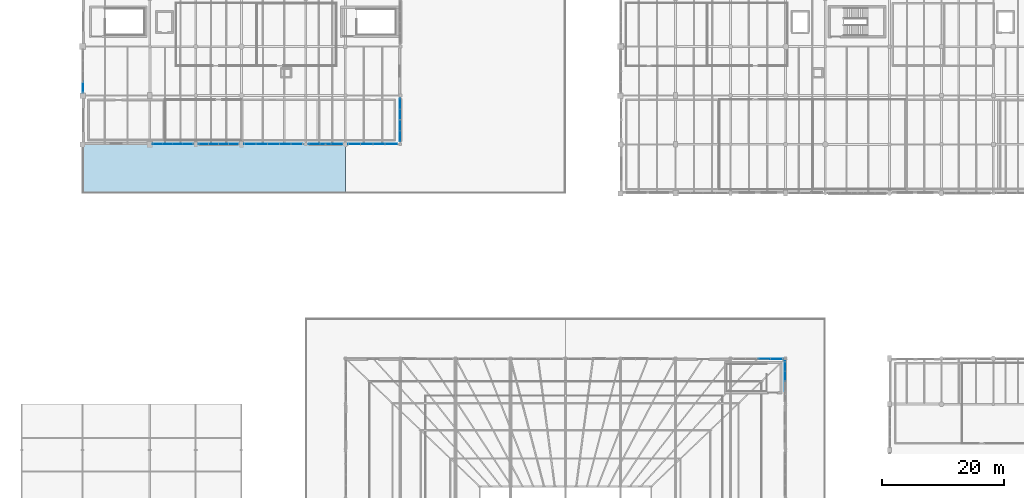
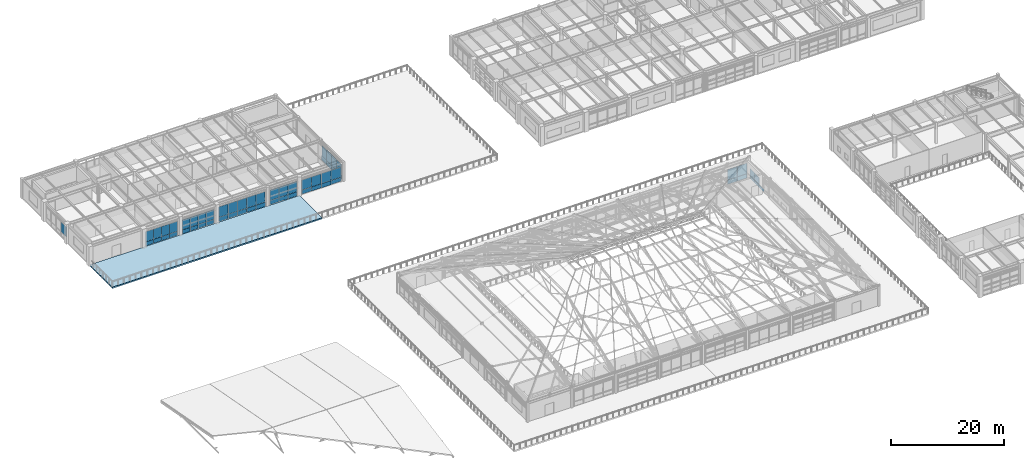
# One storey, part 134 of 168: 58 plates, 1 slab, 9 elements without a shape of their own.
"""IFC4 building model written with IfcOpenShell, lengths in metres."""

from ifc_helpers import new_model, si_unit, direction, frame, origin, origin_2d, place, context, subcontext, project, spatial, polyline, rectangle, outline, extrude, material, layer, layer_set, type_object, element, aggregate, save


model = new_model("IFC4")

# Units and contexts
model_context = context("Model", 3, precision=1e-05, world=origin(), true_north=direction((0.0, 1.0)))
body_context = subcontext(model_context, "Body", "Model", "MODEL_VIEW")
ifc_project = project(units=[si_unit("LENGTHUNIT", "METRE"), si_unit("AREAUNIT", "SQUARE_METRE"), si_unit("VOLUMEUNIT", "CUBIC_METRE"), si_unit("PLANEANGLEUNIT", "RADIAN"), si_unit("MASSUNIT", "GRAM", prefix="KILO"), si_unit("THERMODYNAMICTEMPERATUREUNIT", "KELVIN"), si_unit("POWERUNIT", "WATT")], contexts=[model_context])

# Site, building, storey
site_placement = place(None, origin())
site = spatial("IfcSite", under=ifc_project, at=site_placement, CompositionType="ELEMENT")
building_placement = place(site_placement, origin())
building = spatial("IfcBuilding", under=site, at=building_placement, Name="Tepalcoro Natatorium and Aquatics Centre", CompositionType="ELEMENT")
storey_placement = place(building_placement, frame((0.0, 0.0, 10.199951171875)))
storey = spatial("IfcBuildingStorey", under=building, at=storey_placement, Name="L02", CompositionType="ELEMENT", Elevation=10.199951171875)

# Curtain wall, plate
ifc_material_1 = material(Name="Bronze-Anodised Extruded Aluminium Alloy EN AW-6063 T6", Category="aluminium")
curtain_wall_type_1 = type_object("IfcCurtainWallType", Name="CW_V4_VILLAGE", PredefinedType="USERDEFINED", material=ifc_material_1)
curtain_wall_1_placement = place(storey_placement, origin())
curtain_wall_1 = element("IfcCurtainWall", 1, at=curtain_wall_1_placement, inside=storey, type_object=curtain_wall_type_1, Name="V1 L02 N Unitised Curtain Wall Bay 8", ObjectType="UNITISED STOREFRONT", PredefinedType="USERDEFINED")
ifc_material_2 = material(Name="Solar-Control Bronze Tempered Low-E Double Glazing", Category="glass")
ifc_layer_1 = layer(ifc_material_2, 0.048095703125)
ifc_layer_set_1 = layer_set([ifc_layer_1], Name="Solar-Control Bronze Tempered Low-E Double Glazing")
plate_type_1 = type_object("IfcPlateType", Name="PL_ACOUSTIC_IGU_48", PredefinedType="CURTAIN_PANEL", material=ifc_layer_set_1)
plate_1_placement = place(storey_placement, frame((121.5048828125, 58.923828125, 0.9560546875), z_axis=(0.0, 0.0, 1.0), x_axis=(1.0, 0.0, 0.0)))
plate_1 = element("IfcPlate", 2, at=plate_1_placement, type_object=plate_type_1, Name="CW_V4_VILLAGE Insulated Glazing Unit", PredefinedType="CURTAIN_PANEL", context=body_context, shape_type="SweptSolid", body=[
    extrude(rectangle(XDim=1.989990234375, YDim=0.048095703125, at=origin_2d()), origin(), (0.0, 0.0, 1.0), 2.26806640625),
])

curtain_wall_type_2 = type_object("IfcCurtainWallType", Name="CW_V3_FOYER", PredefinedType="USERDEFINED", material=ifc_material_1)
curtain_wall_2_placement = place(storey_placement, origin())
curtain_wall_2 = element("IfcCurtainWall", 3, at=curtain_wall_2_placement, inside=storey, type_object=curtain_wall_type_2, Name="V1 L02 E Unitised Curtain Wall Bay 6", ObjectType="UNITISED STOREFRONT", PredefinedType="USERDEFINED")
plate_2_placement = place(storey_placement, frame((124.9287109375, 56.0673828125, 0.654541015625), z_axis=(0.0, 0.0, 1.0), x_axis=(1.0, 0.0, 0.0)))
plate_2 = element("IfcPlate", 4, at=plate_2_placement, type_object=plate_type_1, Name="CW_V3_FOYER Insulated Glazing Unit", PredefinedType="CURTAIN_PANEL", context=body_context, shape_type="SweptSolid", body=[
    extrude(rectangle(XDim=0.048095703125, YDim=1.614990234375, at=origin_2d()), origin(), (0.0, 0.0, 1.0), 1.5009765625),
])

curtain_wall_3_placement = place(storey_placement, origin())
curtain_wall_3 = element("IfcCurtainWall", 5, at=curtain_wall_3_placement, inside=storey, type_object=curtain_wall_type_2, Name="V4 L02 S Unitised Curtain Wall Bay 2", ObjectType="UNITISED STOREFRONT", PredefinedType="USERDEFINED")
plate_3_placement = place(storey_placement, frame((25.5673828125, 94.0712890625, 0.93115234375), z_axis=(0.0, 0.0, 1.0), x_axis=(1.0, 0.0, 0.0)))
plate_3 = element("IfcPlate", 6, at=plate_3_placement, type_object=plate_type_1, Name="CW_V3_FOYER Insulated Glazing Unit", PredefinedType="CURTAIN_PANEL", context=body_context, shape_type="SweptSolid", body=[
    extrude(rectangle(XDim=1.614990234375, YDim=0.048095703125, at=origin_2d()), origin(), (0.0, 0.0, 1.0), 2.193115234375),
])

curtain_wall_4_placement = place(storey_placement, origin())
curtain_wall_4 = element("IfcCurtainWall", 7, at=curtain_wall_4_placement, inside=storey, type_object=curtain_wall_type_1, Name="V4 L02 S Unitised Curtain Wall Bay 3", ObjectType="UNITISED STOREFRONT", PredefinedType="USERDEFINED")
plate_4_placement = place(storey_placement, frame((31.4326171875, 94.0712890625, 0.912109375), z_axis=(0.0, 0.0, 1.0), x_axis=(1.0, 0.0, 0.0)))
plate_4 = element("IfcPlate", 8, at=plate_4_placement, type_object=plate_type_1, Name="CW_V4_VILLAGE Insulated Glazing Unit", PredefinedType="CURTAIN_PANEL", context=body_context, shape_type="SweptSolid", body=[
    extrude(rectangle(XDim=1.614990234375, YDim=0.048095703125, at=origin_2d()), origin(), (0.0, 0.0, 1.0), 2.135986328125),
])

# Curtain wall, plates
curtain_wall_type_3 = type_object("IfcCurtainWallType", Name="CW_V5_LOWER", PredefinedType="USERDEFINED", material=ifc_material_1)
curtain_wall_5_placement = place(storey_placement, origin())
curtain_wall_5 = element("IfcCurtainWall", 9, at=curtain_wall_5_placement, inside=storey, type_object=curtain_wall_type_3, Name="V4 L02 S Unitised Curtain Wall Bay 4", ObjectType="UNITISED STOREFRONT", PredefinedType="USERDEFINED")
plate_5_placement = place(storey_placement, frame((37.43408203125, 94.080078125, 0.9599609375), z_axis=(0.0, 0.0, 1.0), x_axis=(1.0, 0.0, 0.0)))
plate_5 = element("IfcPlate", 10, at=plate_5_placement, type_object=plate_type_1, Name="CW_V5_LOWER Insulated Glazing Unit", PredefinedType="CURTAIN_PANEL", context=body_context, shape_type="SweptSolid", body=[
    extrude(rectangle(XDim=1.887939453125, YDim=0.048095703125, at=origin_2d()), origin(), (0.0, 0.0, 1.0), 2.287109375),
])
plate_6_placement = place(storey_placement, frame((43.157958984375, 94.080078125, 0.9599609375), z_axis=(0.0, 0.0, 1.0), x_axis=(1.0, 0.0, 0.0)))
plate_6 = element("IfcPlate", 11, at=plate_6_placement, type_object=plate_type_1, Name="CW_V5_LOWER Insulated Glazing Unit", PredefinedType="CURTAIN_PANEL", context=body_context, shape_type="SweptSolid", body=[
    extrude(rectangle(XDim=1.887939453125, YDim=0.048095703125, at=origin_2d()), origin(), (0.0, 0.0, 1.0), 2.287109375),
])

# Curtain wall, plate
curtain_wall_type_4 = type_object("IfcCurtainWallType", Name="CW_V5_UPPER", PredefinedType="USERDEFINED", material=ifc_material_1)
curtain_wall_6_placement = place(storey_placement, origin())
curtain_wall_6 = element("IfcCurtainWall", 12, at=curtain_wall_6_placement, inside=storey, type_object=curtain_wall_type_4, Name="V4 L02 S Unitised Curtain Wall Bay 5", ObjectType="FACETED SOLAR GLAZING", PredefinedType="USERDEFINED")
plate_7_placement = place(storey_placement, frame((51.5966796875, 94.0712890625, 0.949951171875), z_axis=(0.0, 0.0, 1.0), x_axis=(1.0, 0.0, 0.0)))
plate_7 = element("IfcPlate", 13, at=plate_7_placement, type_object=plate_type_1, Name="CW_V5_UPPER Insulated Glazing Unit", PredefinedType="CURTAIN_PANEL", context=body_context, shape_type="SweptSolid", body=[
    extrude(rectangle(XDim=1.82666015625, YDim=0.048095703125, at=origin_2d()), origin(), (0.0, 0.0, 1.0), 2.25),
])

curtain_wall_type_5 = type_object("IfcCurtainWallType", Name="CW_LEAN_T1_NS", PredefinedType="USERDEFINED", material=ifc_material_1)
curtain_wall_7_placement = place(storey_placement, origin())
curtain_wall_7 = element("IfcCurtainWall", 14, at=curtain_wall_7_placement, inside=storey, type_object=curtain_wall_type_5, Name="V4 L02 S Unitised Curtain Wall Bay 6", ObjectType="FACETED SOLAR GLAZING", PredefinedType="USERDEFINED")
plate_8_placement = place(storey_placement, frame((56.4951171875, 94.06494140625, 0.93115234375), z_axis=(0.0, 0.0, 1.0), x_axis=(1.0, 0.0, 0.0)))
plate_8 = element("IfcPlate", 15, at=plate_8_placement, type_object=plate_type_1, Name="CW_LEAN_T1_NS Insulated Glazing Unit", PredefinedType="CURTAIN_PANEL", context=body_context, shape_type="SweptSolid", body=[
    extrude(rectangle(XDim=1.989990234375, YDim=0.048095703125, at=origin_2d()), origin(), (0.0, 0.0, 1.0), 2.193115234375),
])

curtain_wall_8_placement = place(storey_placement, origin())
curtain_wall_8 = element("IfcCurtainWall", 16, at=curtain_wall_8_placement, inside=storey, type_object=curtain_wall_type_5, Name="V4 L02 W Unitised Curtain Wall Bay 2", ObjectType="FACETED SOLAR GLAZING", PredefinedType="USERDEFINED")
plate_9_placement = place(storey_placement, frame((10.06494140625, 103.360107421875, 0.912109375), z_axis=(0.0, 0.0, 1.0), x_axis=(1.0, 0.0, 0.0)))
plate_9 = element("IfcPlate", 17, at=plate_9_placement, type_object=plate_type_1, Name="CW_LEAN_T1_NS Insulated Glazing Unit", PredefinedType="CURTAIN_PANEL", context=body_context, shape_type="SweptSolid", body=[
    extrude(rectangle(XDim=0.048095703125, YDim=1.739990234375, at=origin_2d()), origin(), (0.0, 0.0, 1.0), 2.135986328125),
])
aggregate(curtain_wall_8, [plate_9])

curtain_wall_type_6 = type_object("IfcCurtainWallType", Name="CW_LEAN_T1_EW", PredefinedType="USERDEFINED", material=ifc_material_1)
curtain_wall_9_placement = place(storey_placement, origin())
curtain_wall_9 = element("IfcCurtainWall", 18, at=curtain_wall_9_placement, inside=storey, type_object=curtain_wall_type_6, Name="V4 L02 E Unitised Curtain Wall Bay 1", ObjectType="FACETED SOLAR GLAZING", PredefinedType="USERDEFINED")
plate_10_placement = place(storey_placement, frame((61.9287109375, 98.8798828125, 0.9599609375), z_axis=(0.0, 0.0, 1.0), x_axis=(1.0, 0.0, 0.0)))
plate_10 = element("IfcPlate", 19, at=plate_10_placement, type_object=plate_type_1, Name="CW_LEAN_T1_EW Insulated Glazing Unit", PredefinedType="CURTAIN_PANEL", context=body_context, shape_type="SweptSolid", body=[
    extrude(rectangle(XDim=0.048095703125, YDim=1.739990234375, at=origin_2d()), origin(), (0.0, 0.0, 1.0), 2.287109375),
])

# Plate
ifc_layer_2 = layer(ifc_material_2, 0.028076171875)
ifc_layer_set_2 = layer_set([ifc_layer_2], Name="Solar-Control Bronze Tempered Low-E Double Glazing")
plate_type_2 = type_object("IfcPlateType", Name="PL_BRONZE_IGU_28", PredefinedType="CURTAIN_PANEL", material=ifc_layer_set_2)
plate_11_placement = place(storey_placement, frame((23.9326171875, 94.0712890625, 0.93115234375), z_axis=(0.0, 0.0, 1.0), x_axis=(1.0, 0.0, 0.0)))
plate_11 = element("IfcPlate", 20, at=plate_11_placement, type_object=plate_type_2, Name="CW_V3_FOYER Insulated Glazing Unit", PredefinedType="CURTAIN_PANEL", context=body_context, shape_type="SweptSolid", body=[
    extrude(rectangle(XDim=1.614990234375, YDim=0.028076171875, at=origin_2d()), origin(), (0.0, 0.0, 1.0), 2.193115234375),
])

plate_12_placement = place(storey_placement, frame((29.797607421875, 94.0712890625, 0.912109375), z_axis=(0.0, 0.0, 1.0), x_axis=(1.0, 0.0, 0.0)))
plate_12 = element("IfcPlate", 21, at=plate_12_placement, type_object=plate_type_2, Name="CW_V4_VILLAGE Insulated Glazing Unit", PredefinedType="CURTAIN_PANEL", context=body_context, shape_type="SweptSolid", body=[
    extrude(rectangle(XDim=1.614990234375, YDim=0.028076171875, at=origin_2d()), origin(), (0.0, 0.0, 1.0), 2.135986328125),
])

plate_13_placement = place(storey_placement, frame((34.702392578125, 94.0712890625, 0.912109375), z_axis=(0.0, 0.0, 1.0), x_axis=(1.0, 0.0, 0.0)))
plate_13 = element("IfcPlate", 22, at=plate_13_placement, type_object=plate_type_2, Name="CW_V4_VILLAGE Insulated Glazing Unit", PredefinedType="CURTAIN_PANEL", context=body_context, shape_type="SweptSolid", body=[
    extrude(rectangle(XDim=1.614990234375, YDim=0.028076171875, at=origin_2d()), origin(), (0.0, 0.0, 1.0), 2.135986328125),
])

plate_14_placement = place(storey_placement, frame((41.25, 94.080078125, 0.9599609375), z_axis=(0.0, 0.0, 1.0), x_axis=(1.0, 0.0, 0.0)))
plate_14 = element("IfcPlate", 23, at=plate_14_placement, type_object=plate_type_2, Name="CW_V5_LOWER Insulated Glazing Unit", PredefinedType="CURTAIN_PANEL", context=body_context, shape_type="SweptSolid", body=[
    extrude(rectangle(XDim=1.887939453125, YDim=0.028076171875, at=origin_2d()), origin(), (0.0, 0.0, 1.0), 2.287109375),
])

plate_15_placement = place(storey_placement, frame((49.75, 94.0712890625, 0.949951171875), z_axis=(0.0, 0.0, 1.0), x_axis=(1.0, 0.0, 0.0)))
plate_15 = element("IfcPlate", 24, at=plate_15_placement, type_object=plate_type_2, Name="CW_V5_UPPER Insulated Glazing Unit", PredefinedType="CURTAIN_PANEL", context=body_context, shape_type="SweptSolid", body=[
    extrude(rectangle(XDim=1.82666015625, YDim=0.028076171875, at=origin_2d()), origin(), (0.0, 0.0, 1.0), 2.25),
])

plate_16_placement = place(storey_placement, frame((54.485107421875, 94.06494140625, 0.93115234375), z_axis=(0.0, 0.0, 1.0), x_axis=(1.0, 0.0, 0.0)))
plate_16 = element("IfcPlate", 25, at=plate_16_placement, type_object=plate_type_2, Name="CW_LEAN_T1_NS Insulated Glazing Unit", PredefinedType="CURTAIN_PANEL", context=body_context, shape_type="SweptSolid", body=[
    extrude(rectangle(XDim=1.989990234375, YDim=0.028076171875, at=origin_2d()), origin(), (0.0, 0.0, 1.0), 2.193115234375),
])

plate_17_placement = place(storey_placement, frame((60.514892578125, 94.06494140625, 0.93115234375), z_axis=(0.0, 0.0, 1.0), x_axis=(1.0, 0.0, 0.0)))
plate_17 = element("IfcPlate", 26, at=plate_17_placement, type_object=plate_type_2, Name="CW_LEAN_T1_NS Insulated Glazing Unit", PredefinedType="CURTAIN_PANEL", context=body_context, shape_type="SweptSolid", body=[
    extrude(rectangle(XDim=1.989990234375, YDim=0.028076171875, at=origin_2d()), origin(), (0.0, 0.0, 1.0), 2.193115234375),
])

plate_18_placement = place(storey_placement, frame((61.9287109375, 97.1201171875, 0.9599609375), z_axis=(0.0, 0.0, 1.0), x_axis=(1.0, 0.0, 0.0)))
plate_18 = element("IfcPlate", 27, at=plate_18_placement, type_object=plate_type_2, Name="CW_LEAN_T1_EW Insulated Glazing Unit", PredefinedType="CURTAIN_PANEL", context=body_context, shape_type="SweptSolid", body=[
    extrude(rectangle(XDim=0.028076171875, YDim=1.739990234375, at=origin_2d()), origin(), (0.0, 0.0, 1.0), 2.287109375),
])

ifc_material_3 = material(Name="Jalisco Cantera Rosa Volcanic Tuff Ashlar Masonry", Category="masonry")
ifc_layer_3 = layer(ifc_material_3, 0.090087890625)
ifc_layer_set_3 = layer_set([ifc_layer_3], Name="Jalisco Cantera Rosa Volcanic Tuff Ashlar Masonry")
plate_type_3 = type_object("IfcPlateType", Name="PL_CANTERA_90", PredefinedType="SHEET", material=ifc_layer_set_3)
plate_19_placement = place(storey_placement, frame((124.9287109375, 57.702392578125, 0.045166015625), z_axis=(0.0, 0.0, 1.0), x_axis=(1.0, 0.0, 0.0)))
plate_19 = element("IfcPlate", 28, at=plate_19_placement, type_object=plate_type_3, Name="CW_V3_FOYER Spandrel & Screen Panel", PredefinedType="SHEET", context=body_context, shape_type="SweptSolid", body=[
    extrude(rectangle(XDim=0.090087890625, YDim=1.614990234375, at=origin_2d()), origin(), (0.0, 0.0, 1.0), 0.6044921875),
])

plate_20_placement = place(storey_placement, frame((22.297607421875, 94.0712890625, 0.044921875), z_axis=(0.0, 0.0, 1.0), x_axis=(1.0, 0.0, 0.0)))
plate_20 = element("IfcPlate", 29, at=plate_20_placement, type_object=plate_type_3, Name="CW_V3_FOYER Spandrel & Screen Panel", PredefinedType="SHEET", context=body_context, shape_type="SweptSolid", body=[
    extrude(rectangle(XDim=1.614990234375, YDim=0.090087890625, at=origin_2d()), origin(), (0.0, 0.0, 1.0), 0.881103515625),
])

plate_21_placement = place(storey_placement, frame((43.157958984375, 94.080078125, 0.044921875), z_axis=(0.0, 0.0, 1.0), x_axis=(1.0, 0.0, 0.0)))
plate_21 = element("IfcPlate", 30, at=plate_21_placement, type_object=plate_type_3, Name="CW_V5_LOWER Spandrel & Screen Panel", PredefinedType="SHEET", context=body_context, shape_type="SweptSolid", body=[
    extrude(rectangle(XDim=1.887939453125, YDim=0.090087890625, at=origin_2d()), origin(), (0.0, 0.0, 1.0), 0.909912109375),
])

plate_22_placement = place(storey_placement, frame((51.5966796875, 94.0712890625, 0.045166015625), z_axis=(0.0, 0.0, 1.0), x_axis=(1.0, 0.0, 0.0)))
plate_22 = element("IfcPlate", 31, at=plate_22_placement, type_object=plate_type_3, Name="CW_V5_UPPER Spandrel & Screen Panel", PredefinedType="SHEET", context=body_context, shape_type="SweptSolid", body=[
    extrude(rectangle(XDim=1.82666015625, YDim=0.090087890625, at=origin_2d()), origin(), (0.0, 0.0, 1.0), 0.89990234375),
])

plate_23_placement = place(storey_placement, frame((56.4951171875, 94.06494140625, 0.044921875), z_axis=(0.0, 0.0, 1.0), x_axis=(1.0, 0.0, 0.0)))
plate_23 = element("IfcPlate", 32, at=plate_23_placement, type_object=plate_type_3, Name="CW_LEAN_T1_NS Spandrel & Screen Panel", PredefinedType="SHEET", context=body_context, shape_type="SweptSolid", body=[
    extrude(rectangle(XDim=1.989990234375, YDim=0.090087890625, at=origin_2d()), origin(), (0.0, 0.0, 1.0), 0.881103515625),
])

plate_24_placement = place(storey_placement, frame((61.9287109375, 97.1201171875, 0.044921875), z_axis=(0.0, 0.0, 1.0), x_axis=(1.0, 0.0, 0.0)))
plate_24 = element("IfcPlate", 33, at=plate_24_placement, type_object=plate_type_3, Name="CW_LEAN_T1_EW Spandrel & Screen Panel", PredefinedType="SHEET", context=body_context, shape_type="SweptSolid", body=[
    extrude(rectangle(XDim=0.090087890625, YDim=1.739990234375, at=origin_2d()), origin(), (0.0, 0.0, 1.0), 0.909912109375),
])

ifc_material_4 = material(Name="Clear Tempered Low-E Safety Glazing", Category="glass")
ifc_layer_4 = layer(ifc_material_4, 0.011962890625)
ifc_layer_set_4 = layer_set([ifc_layer_4], Name="Clear Tempered Low-E Safety Glazing")
plate_type_4 = type_object("IfcPlateType", Name="PL_GLASS_12", PredefinedType="CURTAIN_PANEL", material=ifc_layer_set_4)
plate_25_placement = place(storey_placement, frame((123.514892578125, 58.923828125, 0.9560546875), z_axis=(0.0, 0.0, 1.0), x_axis=(1.0, 0.0, 0.0)))
plate_25 = element("IfcPlate", 34, at=plate_25_placement, type_object=plate_type_4, Name="CW_V4_VILLAGE Insulated Glazing Unit", PredefinedType="CURTAIN_PANEL", context=body_context, shape_type="SweptSolid", body=[
    extrude(rectangle(XDim=1.989990234375, YDim=0.011962890625, at=origin_2d()), origin(), (0.0, 0.0, 1.0), 2.26806640625),
])

plate_26_placement = place(storey_placement, frame((124.9287109375, 57.702392578125, 0.654541015625), z_axis=(0.0, 0.0, 1.0), x_axis=(1.0, 0.0, 0.0)))
plate_26 = element("IfcPlate", 35, at=plate_26_placement, type_object=plate_type_4, Name="CW_V3_FOYER Insulated Glazing Unit", PredefinedType="CURTAIN_PANEL", context=body_context, shape_type="SweptSolid", body=[
    extrude(rectangle(XDim=0.011962890625, YDim=1.614990234375, at=origin_2d()), origin(), (0.0, 0.0, 1.0), 1.5009765625),
])

plate_27_placement = place(storey_placement, frame((22.297607421875, 94.0712890625, 0.93115234375), z_axis=(0.0, 0.0, 1.0), x_axis=(1.0, 0.0, 0.0)))
plate_27 = element("IfcPlate", 36, at=plate_27_placement, type_object=plate_type_4, Name="CW_V3_FOYER Insulated Glazing Unit", PredefinedType="CURTAIN_PANEL", context=body_context, shape_type="SweptSolid", body=[
    extrude(rectangle(XDim=1.614990234375, YDim=0.011962890625, at=origin_2d()), origin(), (0.0, 0.0, 1.0), 2.193115234375),
])

plate_28_placement = place(storey_placement, frame((27.202392578125, 94.0712890625, 0.93115234375), z_axis=(0.0, 0.0, 1.0), x_axis=(1.0, 0.0, 0.0)))
plate_28 = element("IfcPlate", 37, at=plate_28_placement, type_object=plate_type_4, Name="CW_V3_FOYER Insulated Glazing Unit", PredefinedType="CURTAIN_PANEL", context=body_context, shape_type="SweptSolid", body=[
    extrude(rectangle(XDim=1.614990234375, YDim=0.011962890625, at=origin_2d()), origin(), (0.0, 0.0, 1.0), 2.193115234375),
])

plate_29_placement = place(storey_placement, frame((33.0673828125, 94.0712890625, 0.912109375), z_axis=(0.0, 0.0, 1.0), x_axis=(1.0, 0.0, 0.0)))
plate_29 = element("IfcPlate", 38, at=plate_29_placement, type_object=plate_type_4, Name="CW_V4_VILLAGE Insulated Glazing Unit", PredefinedType="CURTAIN_PANEL", context=body_context, shape_type="SweptSolid", body=[
    extrude(rectangle(XDim=1.614990234375, YDim=0.011962890625, at=origin_2d()), origin(), (0.0, 0.0, 1.0), 2.135986328125),
])

plate_30_placement = place(storey_placement, frame((39.342041015625, 94.080078125, 0.9599609375), z_axis=(0.0, 0.0, 1.0), x_axis=(1.0, 0.0, 0.0)))
plate_30 = element("IfcPlate", 39, at=plate_30_placement, type_object=plate_type_4, Name="CW_V5_LOWER Insulated Glazing Unit", PredefinedType="CURTAIN_PANEL", context=body_context, shape_type="SweptSolid", body=[
    extrude(rectangle(XDim=1.887939453125, YDim=0.011962890625, at=origin_2d()), origin(), (0.0, 0.0, 1.0), 2.287109375),
])

plate_31_placement = place(storey_placement, frame((45.06591796875, 94.080078125, 0.9599609375), z_axis=(0.0, 0.0, 1.0), x_axis=(1.0, 0.0, 0.0)))
plate_31 = element("IfcPlate", 40, at=plate_31_placement, type_object=plate_type_4, Name="CW_V5_LOWER Insulated Glazing Unit", PredefinedType="CURTAIN_PANEL", context=body_context, shape_type="SweptSolid", body=[
    extrude(rectangle(XDim=1.887939453125, YDim=0.011962890625, at=origin_2d()), origin(), (0.0, 0.0, 1.0), 2.287109375),
])

plate_32_placement = place(storey_placement, frame((47.9033203125, 94.0712890625, 0.949951171875), z_axis=(0.0, 0.0, 1.0), x_axis=(1.0, 0.0, 0.0)))
plate_32 = element("IfcPlate", 41, at=plate_32_placement, type_object=plate_type_4, Name="CW_V5_UPPER Insulated Glazing Unit", PredefinedType="CURTAIN_PANEL", context=body_context, shape_type="SweptSolid", body=[
    extrude(rectangle(XDim=1.82666015625, YDim=0.011962890625, at=origin_2d()), origin(), (0.0, 0.0, 1.0), 2.25),
])

plate_33_placement = place(storey_placement, frame((58.5048828125, 94.06494140625, 0.93115234375), z_axis=(0.0, 0.0, 1.0), x_axis=(1.0, 0.0, 0.0)))
plate_33 = element("IfcPlate", 42, at=plate_33_placement, type_object=plate_type_4, Name="CW_LEAN_T1_NS Insulated Glazing Unit", PredefinedType="CURTAIN_PANEL", context=body_context, shape_type="SweptSolid", body=[
    extrude(rectangle(XDim=1.989990234375, YDim=0.011962890625, at=origin_2d()), origin(), (0.0, 0.0, 1.0), 2.193115234375),
])

plate_34_placement = place(storey_placement, frame((61.9287109375, 95.360107421875, 0.9599609375), z_axis=(0.0, 0.0, 1.0), x_axis=(1.0, 0.0, 0.0)))
plate_34 = element("IfcPlate", 43, at=plate_34_placement, type_object=plate_type_4, Name="CW_LEAN_T1_EW Insulated Glazing Unit", PredefinedType="CURTAIN_PANEL", context=body_context, shape_type="SweptSolid", body=[
    extrude(rectangle(XDim=0.011962890625, YDim=1.739990234375, at=origin_2d()), origin(), (0.0, 0.0, 1.0), 2.287109375),
])

plate_35_placement = place(storey_placement, frame((61.9287109375, 100.639892578125, 0.9599609375), z_axis=(0.0, 0.0, 1.0), x_axis=(1.0, 0.0, 0.0)))
plate_35 = element("IfcPlate", 44, at=plate_35_placement, type_object=plate_type_4, Name="CW_LEAN_T1_EW Insulated Glazing Unit", PredefinedType="CURTAIN_PANEL", context=body_context, shape_type="SweptSolid", body=[
    extrude(rectangle(XDim=0.011962890625, YDim=1.739990234375, at=origin_2d()), origin(), (0.0, 0.0, 1.0), 2.287109375),
])

ifc_material_5 = material(Name="Volcanic Recinto Basalt Ashlar Masonry", Category="masonry")
ifc_layer_5 = layer(ifc_material_5, 0.110107421875)
ifc_layer_set_5 = layer_set([ifc_layer_5], Name="Volcanic Recinto Basalt Ashlar Masonry")
plate_type_5 = type_object("IfcPlateType", Name="PL_RECINTO_110", PredefinedType="SHEET", material=ifc_layer_set_5)
plate_36_placement = place(storey_placement, frame((23.9326171875, 94.0712890625, 0.044921875), z_axis=(0.0, 0.0, 1.0), x_axis=(1.0, 0.0, 0.0)))
plate_36 = element("IfcPlate", 45, at=plate_36_placement, type_object=plate_type_5, Name="CW_V3_FOYER Spandrel & Screen Panel", PredefinedType="SHEET", context=body_context, shape_type="SweptSolid", body=[
    extrude(rectangle(XDim=1.614990234375, YDim=0.110107421875, at=origin_2d()), origin(), (0.0, 0.0, 1.0), 0.881103515625),
])

plate_37_placement = place(storey_placement, frame((29.797607421875, 94.0712890625, 0.044921875), z_axis=(0.0, 0.0, 1.0), x_axis=(1.0, 0.0, 0.0)))
plate_37 = element("IfcPlate", 46, at=plate_37_placement, type_object=plate_type_5, Name="CW_V4_VILLAGE Spandrel & Screen Panel", PredefinedType="SHEET", context=body_context, shape_type="SweptSolid", body=[
    extrude(rectangle(XDim=1.614990234375, YDim=0.110107421875, at=origin_2d()), origin(), (0.0, 0.0, 1.0), 0.862060546875),
])

plate_38_placement = place(storey_placement, frame((45.06591796875, 94.080078125, 0.044921875), z_axis=(0.0, 0.0, 1.0), x_axis=(1.0, 0.0, 0.0)))
plate_38 = element("IfcPlate", 47, at=plate_38_placement, type_object=plate_type_5, Name="CW_V5_LOWER Spandrel & Screen Panel", PredefinedType="SHEET", context=body_context, shape_type="SweptSolid", body=[
    extrude(rectangle(XDim=1.887939453125, YDim=0.110107421875, at=origin_2d()), origin(), (0.0, 0.0, 1.0), 0.909912109375),
])

plate_39_placement = place(storey_placement, frame((58.5048828125, 94.06494140625, 0.044921875), z_axis=(0.0, 0.0, 1.0), x_axis=(1.0, 0.0, 0.0)))
plate_39 = element("IfcPlate", 48, at=plate_39_placement, type_object=plate_type_5, Name="CW_LEAN_T1_NS Spandrel & Screen Panel", PredefinedType="SHEET", context=body_context, shape_type="SweptSolid", body=[
    extrude(rectangle(XDim=1.989990234375, YDim=0.110107421875, at=origin_2d()), origin(), (0.0, 0.0, 1.0), 0.881103515625),
])

plate_40_placement = place(storey_placement, frame((61.9287109375, 98.8798828125, 0.044921875), z_axis=(0.0, 0.0, 1.0), x_axis=(1.0, 0.0, 0.0)))
plate_40 = element("IfcPlate", 49, at=plate_40_placement, type_object=plate_type_5, Name="CW_LEAN_T1_EW Spandrel & Screen Panel", PredefinedType="SHEET", context=body_context, shape_type="SweptSolid", body=[
    extrude(rectangle(XDim=0.110107421875, YDim=1.739990234375, at=origin_2d()), origin(), (0.0, 0.0, 1.0), 0.909912109375),
])

ifc_layer_6 = layer(ifc_material_1, 0.050048828125)
ifc_layer_set_6 = layer_set([ifc_layer_6], Name="Bronze-Anodised Extruded Aluminium Alloy EN AW-6063 T6")
plate_type_6 = type_object("IfcPlateType", Name="PL_SCREEN_50", PredefinedType="SHEET", material=ifc_layer_set_6)
plate_41_placement = place(storey_placement, frame((121.5048828125, 58.923828125, 0.044921875), z_axis=(0.0, 0.0, 1.0), x_axis=(1.0, 0.0, 0.0)))
plate_41 = element("IfcPlate", 50, at=plate_41_placement, type_object=plate_type_6, Name="CW_V4_VILLAGE Spandrel & Screen Panel", PredefinedType="SHEET", context=body_context, shape_type="SweptSolid", body=[
    extrude(rectangle(XDim=1.989990234375, YDim=0.050048828125, at=origin_2d()), origin(), (0.0, 0.0, 1.0), 0.906005859375),
])

plate_42_placement = place(storey_placement, frame((124.9287109375, 54.4326171875, 0.045166015625), z_axis=(0.0, 0.0, 1.0), x_axis=(1.0, 0.0, 0.0)))
plate_42 = element("IfcPlate", 51, at=plate_42_placement, type_object=plate_type_6, Name="CW_V3_FOYER Spandrel & Screen Panel", PredefinedType="SHEET", context=body_context, shape_type="SweptSolid", body=[
    extrude(rectangle(XDim=0.050048828125, YDim=1.614990234375, at=origin_2d()), origin(), (0.0, 0.0, 1.0), 0.6044921875),
])

plate_43_placement = place(storey_placement, frame((27.202392578125, 94.0712890625, 0.044921875), z_axis=(0.0, 0.0, 1.0), x_axis=(1.0, 0.0, 0.0)))
plate_43 = element("IfcPlate", 52, at=plate_43_placement, type_object=plate_type_6, Name="CW_V3_FOYER Spandrel & Screen Panel", PredefinedType="SHEET", context=body_context, shape_type="SweptSolid", body=[
    extrude(rectangle(XDim=1.614990234375, YDim=0.050048828125, at=origin_2d()), origin(), (0.0, 0.0, 1.0), 0.881103515625),
])

plate_44_placement = place(storey_placement, frame((33.0673828125, 94.0712890625, 0.044921875), z_axis=(0.0, 0.0, 1.0), x_axis=(1.0, 0.0, 0.0)))
plate_44 = element("IfcPlate", 53, at=plate_44_placement, type_object=plate_type_6, Name="CW_V4_VILLAGE Spandrel & Screen Panel", PredefinedType="SHEET", context=body_context, shape_type="SweptSolid", body=[
    extrude(rectangle(XDim=1.614990234375, YDim=0.050048828125, at=origin_2d()), origin(), (0.0, 0.0, 1.0), 0.862060546875),
])

plate_45_placement = place(storey_placement, frame((39.342041015625, 94.080078125, 0.044921875), z_axis=(0.0, 0.0, 1.0), x_axis=(1.0, 0.0, 0.0)))
plate_45 = element("IfcPlate", 54, at=plate_45_placement, type_object=plate_type_6, Name="CW_V5_LOWER Spandrel & Screen Panel", PredefinedType="SHEET", context=body_context, shape_type="SweptSolid", body=[
    extrude(rectangle(XDim=1.887939453125, YDim=0.050048828125, at=origin_2d()), origin(), (0.0, 0.0, 1.0), 0.909912109375),
])

plate_46_placement = place(storey_placement, frame((47.9033203125, 94.0712890625, 0.045166015625), z_axis=(0.0, 0.0, 1.0), x_axis=(1.0, 0.0, 0.0)))
plate_46 = element("IfcPlate", 55, at=plate_46_placement, type_object=plate_type_6, Name="CW_V5_UPPER Spandrel & Screen Panel", PredefinedType="SHEET", context=body_context, shape_type="SweptSolid", body=[
    extrude(rectangle(XDim=1.82666015625, YDim=0.050048828125, at=origin_2d()), origin(), (0.0, 0.0, 1.0), 0.89990234375),
])

ifc_layer_7 = layer(ifc_material_1, 0.06005859375)
ifc_layer_set_7 = layer_set([ifc_layer_7], Name="Bronze-Anodised Extruded Aluminium Alloy EN AW-6063 T6")
plate_type_7 = type_object("IfcPlateType", Name="PL_SCREEN_60", PredefinedType="SHEET", material=ifc_layer_set_7)
plate_47_placement = place(storey_placement, frame((123.514892578125, 58.923828125, 0.044921875), z_axis=(0.0, 0.0, 1.0), x_axis=(1.0, 0.0, 0.0)))
plate_47 = element("IfcPlate", 56, at=plate_47_placement, type_object=plate_type_7, Name="CW_V4_VILLAGE Spandrel & Screen Panel", PredefinedType="SHEET", context=body_context, shape_type="SweptSolid", body=[
    extrude(rectangle(XDim=1.989990234375, YDim=0.06005859375, at=origin_2d()), origin(), (0.0, 0.0, 1.0), 0.906005859375),
])

aggregate(curtain_wall_1, [plate_1, plate_41, plate_25, plate_47])

plate_48_placement = place(storey_placement, frame((124.9287109375, 56.0673828125, 0.045166015625), z_axis=(0.0, 0.0, 1.0), x_axis=(1.0, 0.0, 0.0)))
plate_48 = element("IfcPlate", 57, at=plate_48_placement, type_object=plate_type_7, Name="CW_V3_FOYER Spandrel & Screen Panel", PredefinedType="SHEET", context=body_context, shape_type="SweptSolid", body=[
    extrude(rectangle(XDim=0.06005859375, YDim=1.614990234375, at=origin_2d()), origin(), (0.0, 0.0, 1.0), 0.6044921875),
])

aggregate(curtain_wall_2, [plate_42, plate_2, plate_48, plate_26, plate_19])

plate_49_placement = place(storey_placement, frame((34.702392578125, 94.0712890625, 0.044921875), z_axis=(0.0, 0.0, 1.0), x_axis=(1.0, 0.0, 0.0)))
plate_49 = element("IfcPlate", 58, at=plate_49_placement, type_object=plate_type_7, Name="CW_V4_VILLAGE Spandrel & Screen Panel", PredefinedType="SHEET", context=body_context, shape_type="SweptSolid", body=[
    extrude(rectangle(XDim=1.614990234375, YDim=0.06005859375, at=origin_2d()), origin(), (0.0, 0.0, 1.0), 0.862060546875),
])

plate_50_placement = place(storey_placement, frame((41.25, 94.080078125, 0.044921875), z_axis=(0.0, 0.0, 1.0), x_axis=(1.0, 0.0, 0.0)))
plate_50 = element("IfcPlate", 59, at=plate_50_placement, type_object=plate_type_7, Name="CW_V5_LOWER Spandrel & Screen Panel", PredefinedType="SHEET", context=body_context, shape_type="SweptSolid", body=[
    extrude(rectangle(XDim=1.887939453125, YDim=0.06005859375, at=origin_2d()), origin(), (0.0, 0.0, 1.0), 0.909912109375),
])

plate_51_placement = place(storey_placement, frame((49.75, 94.0712890625, 0.045166015625), z_axis=(0.0, 0.0, 1.0), x_axis=(1.0, 0.0, 0.0)))
plate_51 = element("IfcPlate", 60, at=plate_51_placement, type_object=plate_type_7, Name="CW_V5_UPPER Spandrel & Screen Panel", PredefinedType="SHEET", context=body_context, shape_type="SweptSolid", body=[
    extrude(rectangle(XDim=1.82666015625, YDim=0.06005859375, at=origin_2d()), origin(), (0.0, 0.0, 1.0), 0.89990234375),
])

aggregate(curtain_wall_6, [plate_32, plate_46, plate_15, plate_51, plate_7, plate_22])

plate_52_placement = place(storey_placement, frame((54.485107421875, 94.06494140625, 0.044921875), z_axis=(0.0, 0.0, 1.0), x_axis=(1.0, 0.0, 0.0)))
plate_52 = element("IfcPlate", 61, at=plate_52_placement, type_object=plate_type_7, Name="CW_LEAN_T1_NS Spandrel & Screen Panel", PredefinedType="SHEET", context=body_context, shape_type="SweptSolid", body=[
    extrude(rectangle(XDim=1.989990234375, YDim=0.06005859375, at=origin_2d()), origin(), (0.0, 0.0, 1.0), 0.881103515625),
])

plate_53_placement = place(storey_placement, frame((61.9287109375, 95.360107421875, 0.044921875), z_axis=(0.0, 0.0, 1.0), x_axis=(1.0, 0.0, 0.0)))
plate_53 = element("IfcPlate", 62, at=plate_53_placement, type_object=plate_type_7, Name="CW_LEAN_T1_EW Spandrel & Screen Panel", PredefinedType="SHEET", context=body_context, shape_type="SweptSolid", body=[
    extrude(rectangle(XDim=0.06005859375, YDim=1.739990234375, at=origin_2d()), origin(), (0.0, 0.0, 1.0), 0.909912109375),
])

ifc_material_6 = material(Name="Insulated Bronze Anodised Aluminium Spandrel Panel", Category="aluminium")
ifc_layer_8 = layer(ifc_material_6, 0.070068359375)
ifc_layer_set_8 = layer_set([ifc_layer_8], Name="Insulated Bronze Anodised Aluminium Spandrel Panel")
plate_type_8 = type_object("IfcPlateType", Name="PL_SPANDREL_70", PredefinedType="CURTAIN_PANEL", material=ifc_layer_set_8)
plate_54_placement = place(storey_placement, frame((25.5673828125, 94.0712890625, 0.044921875), z_axis=(0.0, 0.0, 1.0), x_axis=(1.0, 0.0, 0.0)))
plate_54 = element("IfcPlate", 63, at=plate_54_placement, type_object=plate_type_8, Name="CW_V3_FOYER Spandrel & Screen Panel", PredefinedType="CURTAIN_PANEL", context=body_context, shape_type="SweptSolid", body=[
    extrude(rectangle(XDim=1.614990234375, YDim=0.070068359375, at=origin_2d()), origin(), (0.0, 0.0, 1.0), 0.881103515625),
])

aggregate(curtain_wall_3, [plate_27, plate_20, plate_11, plate_36, plate_3, plate_54, plate_28, plate_43])

plate_55_placement = place(storey_placement, frame((31.4326171875, 94.0712890625, 0.044921875), z_axis=(0.0, 0.0, 1.0), x_axis=(1.0, 0.0, 0.0)))
plate_55 = element("IfcPlate", 64, at=plate_55_placement, type_object=plate_type_8, Name="CW_V4_VILLAGE Spandrel & Screen Panel", PredefinedType="CURTAIN_PANEL", context=body_context, shape_type="SweptSolid", body=[
    extrude(rectangle(XDim=1.614990234375, YDim=0.070068359375, at=origin_2d()), origin(), (0.0, 0.0, 1.0), 0.862060546875),
])

aggregate(curtain_wall_4, [plate_12, plate_37, plate_4, plate_55, plate_29, plate_44, plate_13, plate_49])

plate_56_placement = place(storey_placement, frame((37.43408203125, 94.080078125, 0.044921875), z_axis=(0.0, 0.0, 1.0), x_axis=(1.0, 0.0, 0.0)))
plate_56 = element("IfcPlate", 65, at=plate_56_placement, type_object=plate_type_8, Name="CW_V5_LOWER Spandrel & Screen Panel", PredefinedType="CURTAIN_PANEL", context=body_context, shape_type="SweptSolid", body=[
    extrude(rectangle(XDim=1.887939453125, YDim=0.070068359375, at=origin_2d()), origin(), (0.0, 0.0, 1.0), 0.909912109375),
])

aggregate(curtain_wall_5, [plate_5, plate_56, plate_30, plate_45, plate_14, plate_50, plate_6, plate_21, plate_31, plate_38])

plate_57_placement = place(storey_placement, frame((60.514892578125, 94.06494140625, 0.044921875), z_axis=(0.0, 0.0, 1.0), x_axis=(1.0, 0.0, 0.0)))
plate_57 = element("IfcPlate", 66, at=plate_57_placement, type_object=plate_type_8, Name="CW_LEAN_T1_NS Spandrel & Screen Panel", PredefinedType="CURTAIN_PANEL", context=body_context, shape_type="SweptSolid", body=[
    extrude(rectangle(XDim=1.989990234375, YDim=0.070068359375, at=origin_2d()), origin(), (0.0, 0.0, 1.0), 0.881103515625),
])

aggregate(curtain_wall_7, [plate_16, plate_52, plate_8, plate_23, plate_33, plate_39, plate_17, plate_57])

plate_58_placement = place(storey_placement, frame((61.9287109375, 100.639892578125, 0.044921875), z_axis=(0.0, 0.0, 1.0), x_axis=(1.0, 0.0, 0.0)))
plate_58 = element("IfcPlate", 67, at=plate_58_placement, type_object=plate_type_8, Name="CW_LEAN_T1_EW Spandrel & Screen Panel", PredefinedType="CURTAIN_PANEL", context=body_context, shape_type="SweptSolid", body=[
    extrude(rectangle(XDim=0.070068359375, YDim=1.739990234375, at=origin_2d()), origin(), (0.0, 0.0, 1.0), 0.909912109375),
])

aggregate(curtain_wall_9, [plate_34, plate_53, plate_18, plate_24, plate_10, plate_40, plate_35, plate_58])

# Slab
ifc_material_7 = material(Name="Concrete C35/45 (fc 35 MPa)", Category="concrete")
ifc_layer_9 = layer(ifc_material_7, 0.300048828125)
ifc_layer_set_9 = layer_set([ifc_layer_9], Name="Concrete C35/45 (fc 35 MPa)")
slab_type = type_object("IfcSlabType", Name="SL_TERRACE_300", PredefinedType="FLOOR", material=ifc_layer_set_9)
slab_placement = place(storey_placement, frame((0.0, 0.0, -0.300048828125)))
element("IfcSlab", 68, at=slab_placement, inside=storey, type_object=slab_type, Name="V4 L02 Planted Recovery Terrace SW", PredefinedType="FLOOR", context=body_context, shape_type="SweptSolid", body=[
    extrude(outline(polyline([(10.0, 86.0), (10.0, 94.0), (53.0, 94.0), (53.0, 86.0), (10.0, 86.0)])), origin(), (0.0, 0.0, 1.0), 0.300048828125),
])

save(model, "model.ifc")
